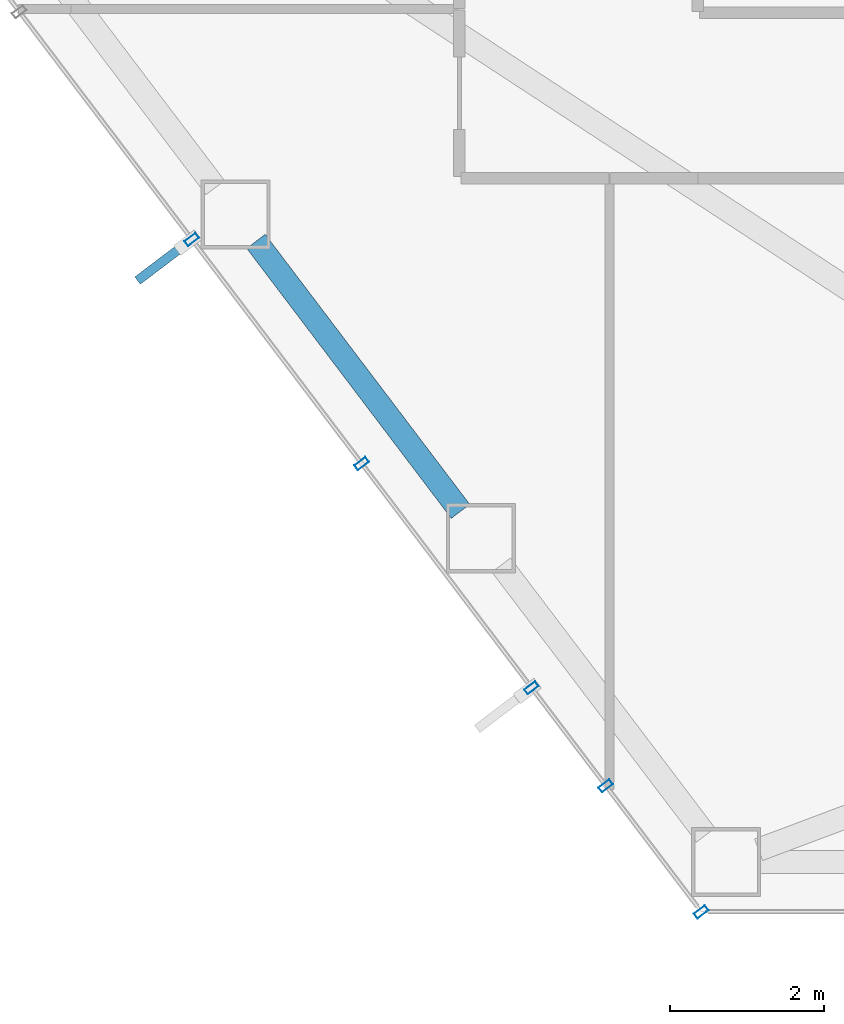
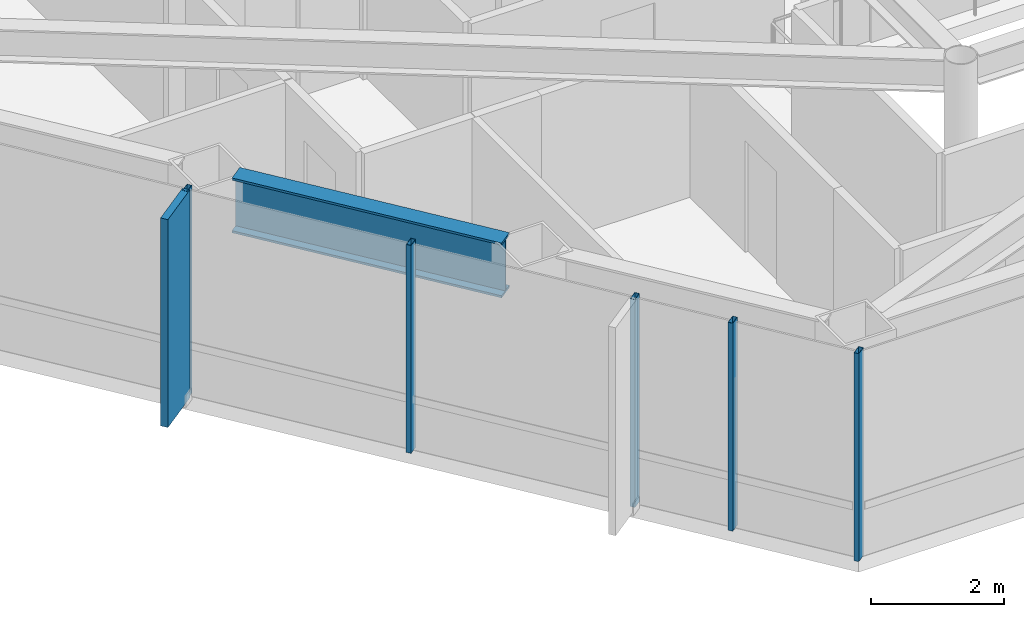
# One storey, part 2 of 25: 6 members, 1 beam, 1 element without a shape of its own.
"""IFC4 building model written with IfcOpenShell, lengths in metres."""

from ifc_helpers import new_model, si_unit, direction, frame, origin, origin_2d, place, context, subcontext, project, spatial, rectangle, hollow_rectangle, i_section, extrude, material, layer, layer_set, material_profile, profile_set, type_object, element, aggregate, save


model = new_model("IFC4")

# Units and contexts
model_context = context("Model", 3, precision=1e-05, world=origin(), true_north=direction((0.0, 1.0)))
body_context = subcontext(model_context, "Body", "Model", "MODEL_VIEW")
ifc_project = project(units=[si_unit("LENGTHUNIT", "METRE"), si_unit("AREAUNIT", "SQUARE_METRE"), si_unit("VOLUMEUNIT", "CUBIC_METRE"), si_unit("PLANEANGLEUNIT", "RADIAN"), si_unit("MASSUNIT", "GRAM", prefix="KILO")], contexts=[model_context])

# Site, building, storey
site_placement = place(None, origin())
site = spatial("IfcSite", under=ifc_project, at=site_placement, CompositionType="ELEMENT")
building_placement = place(site_placement, origin())
building = spatial("IfcBuilding", under=site, at=building_placement, Name="Zarrinselat Tower", CompositionType="ELEMENT")
storey_placement = place(building_placement, frame((0.0, 0.0, 88.739990234375)))
storey = spatial("IfcBuildingStorey", under=building, at=storey_placement, Name="L21", CompositionType="ELEMENT", Elevation=88.739990234375)

# Beam
ifc_material_1 = material(Name="Steel S460M", Category="steel")
ifc_material_profile_1 = material_profile(ifc_material_1, i_section(OverallWidth=0.302001953125, OverallDepth=1.008056640625, WebThickness=0.02099609375, FlangeThickness=0.0400390625, at=origin_2d()), Name="HEM 1000")
ifc_profile_set_1 = profile_set([ifc_material_profile_1], Name="Steel S460M")
beam_type = type_object("IfcBeamType", Name="BM-HEM1000", PredefinedType="BEAM", material=ifc_profile_set_1)
beam_placement = place(storey_placement, frame((22.8046875, 27.1787109375, 3.31591796875), z_axis=(0.603859822423, -0.797090531159, 0.0), x_axis=(0.797090531159, 0.603859822423, 0.0)))
element("IfcBeam", 1, at=beam_placement, inside=storey, type_object=beam_type, Name="L21 Perimeter Spandrel Girder SP08", PredefinedType="BEAM", context=body_context, shape_type="SweptSolid", body=[
    extrude(i_section(OverallWidth=0.302001953125, OverallDepth=1.008056640625, WebThickness=0.02099609375, FlangeThickness=0.0400390625, at=origin_2d()), origin(), (0.0, 0.0, 1.0), 4.404541015625),
])

# Curtain wall, members
ifc_material_2 = material(Name="Extruded Aluminium Alloy EN AW-6063 T6", Category="aluminium")
ifc_layer = layer(ifc_material_2, 0.18505859375)
ifc_layer_set = layer_set([ifc_layer], Name="Extruded Aluminium Alloy EN AW-6063 T6")
curtain_wall_type = type_object("IfcCurtainWallType", Name="CWS-OFF", PredefinedType="NOTDEFINED", material=ifc_layer_set)
curtain_wall_placement = place(storey_placement, origin())
curtain_wall = element("IfcCurtainWall", 2, at=curtain_wall_placement, inside=storey, type_object=curtain_wall_type, Name="L21 Unitised Curtain Wall CW-L21-E03", PredefinedType="NOTDEFINED")
ifc_material_3 = material(Name="Extruded Aluminium Alloy EN AW-6063 T6", Category="aluminium")
ifc_material_profile_2 = material_profile(ifc_material_3, hollow_rectangle(XDim=0.080078125, YDim=0.179931640625, WallThickness=0.0048828125, at=origin_2d()), Name="RHS 180x80x5")
ifc_profile_set_2 = profile_set([ifc_material_profile_2], Name="Extruded Aluminium Alloy EN AW-6063 T6")
member_type_1 = type_object("IfcMemberType", Name="MEM-CW-MUL", PredefinedType="MULLION", material=ifc_profile_set_2)
member_1_placement = place(storey_placement, frame((21.970947265625, 27.202880859375, 0.0), z_axis=(0.0, 0.0, 1.0), x_axis=(0.603856459269, -0.797093079006, 0.0)))
member_1 = element("IfcMember", 3, at=member_1_placement, type_object=member_type_1, Name="CW-L21-E03 Mullion 3", PredefinedType="MULLION", context=body_context, shape_type="SweptSolid", body=[
    extrude(hollow_rectangle(XDim=0.080078125, YDim=0.179931640625, WallThickness=0.0048828125, at=origin_2d()), origin(), (0.0, 0.0, 1.0), 3.820068359375),
])
member_2_placement = place(storey_placement, frame((24.1787109375, 24.28857421875, 0.0), z_axis=(0.0, 0.0, 1.0), x_axis=(0.603856459269, -0.797093079006, 0.0)))
member_2 = element("IfcMember", 4, at=member_2_placement, type_object=member_type_1, Name="CW-L21-E03 Mullion 4", PredefinedType="MULLION", context=body_context, shape_type="SweptSolid", body=[
    extrude(hollow_rectangle(XDim=0.080078125, YDim=0.179931640625, WallThickness=0.0048828125, at=origin_2d()), origin(), (0.0, 0.0, 1.0), 3.820068359375),
])
member_3_placement = place(storey_placement, frame((26.38671875, 21.374267578125, 0.0), z_axis=(0.0, 0.0, 1.0), x_axis=(0.603856459269, -0.797093079006, 0.0)))
member_3 = element("IfcMember", 5, at=member_3_placement, type_object=member_type_1, Name="CW-L21-E03 Mullion 5", PredefinedType="MULLION", context=body_context, shape_type="SweptSolid", body=[
    extrude(hollow_rectangle(XDim=0.080078125, YDim=0.179931640625, WallThickness=0.0048828125, at=origin_2d()), origin(), (0.0, 0.0, 1.0), 3.820068359375),
])
member_4_placement = place(storey_placement, frame((27.352294921875, 20.099853515625, 0.0), z_axis=(0.0, 0.0, 1.0), x_axis=(0.603856459269, -0.797093079006, 0.0)))
member_4 = element("IfcMember", 6, at=member_4_placement, type_object=member_type_1, Name="CW-L21-E03 Mullion 6", PredefinedType="MULLION", context=body_context, shape_type="SweptSolid", body=[
    extrude(hollow_rectangle(XDim=0.080078125, YDim=0.179931640625, WallThickness=0.0048828125, at=origin_2d()), origin(), (0.0, 0.0, 1.0), 3.820068359375),
])
member_5_placement = place(storey_placement, frame((28.594482421875, 18.4599609375, 0.0), z_axis=(0.0, 0.0, 1.0), x_axis=(0.603856459269, -0.797093079006, 0.0)))
member_5 = element("IfcMember", 7, at=member_5_placement, type_object=member_type_1, Name="CW-L21-E03 Mullion 7", PredefinedType="MULLION", context=body_context, shape_type="SweptSolid", body=[
    extrude(hollow_rectangle(XDim=0.080078125, YDim=0.179931640625, WallThickness=0.0048828125, at=origin_2d()), origin(), (0.0, 0.0, 1.0), 3.820068359375),
])
ifc_material_4 = material(Name="Honed Cream Travertine Stone", Category="masonry")
ifc_material_profile_3 = material_profile(ifc_material_4, rectangle(XDim=0.1201171875, YDim=0.85009765625, at=origin_2d()), Name="FIN 850x120")
ifc_profile_set_3 = profile_set([ifc_material_profile_3], Name="Honed Cream Travertine Stone")
member_type_2 = type_object("IfcMemberType", Name="MEM-STONE-FIN", PredefinedType="USERDEFINED", material=ifc_profile_set_3)
member_6_placement = place(storey_placement, frame((21.604248046875, 26.925048828125, 0.0), z_axis=(0.0, 0.0, 1.0), x_axis=(-0.603856459269, 0.797093079006, 0.0)))
member_6 = element("IfcMember", 8, at=member_6_placement, type_object=member_type_2, Name="L21 Stone Shading Fin CW-L21-E03-03", ObjectType="FIN", PredefinedType="USERDEFINED", context=body_context, shape_type="SweptSolid", body=[
    extrude(rectangle(XDim=0.1201171875, YDim=0.85009765625, at=origin_2d()), origin(), (0.0, 0.0, 1.0), 3.820068359375),
])
aggregate(curtain_wall, [member_1, member_6, member_2, member_3, member_4, member_5])

save(model, "model.ifc")
